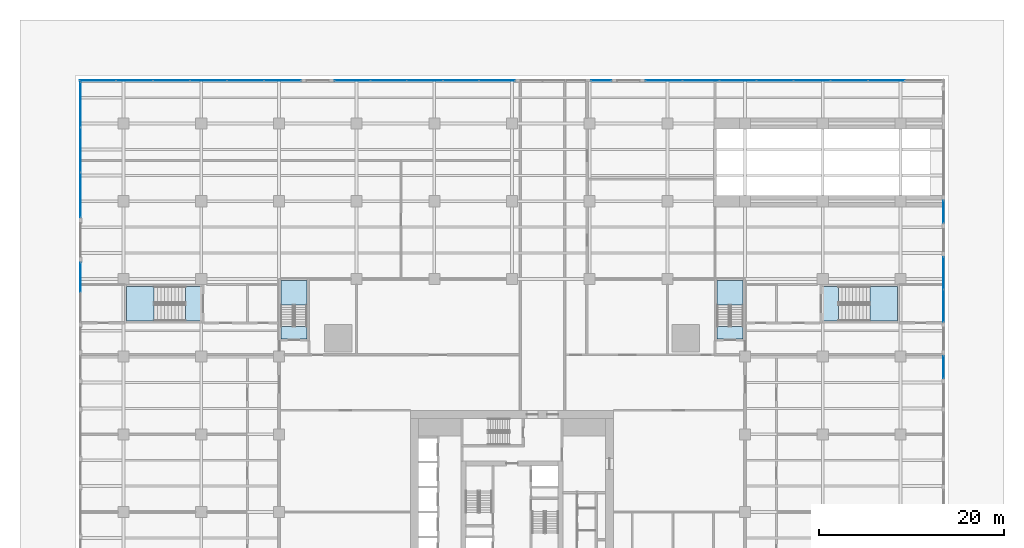
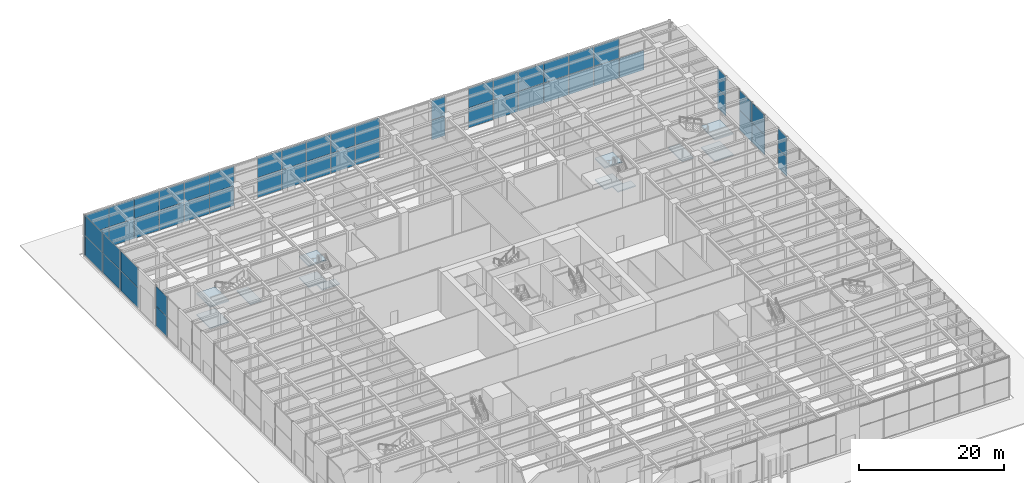
# One storey, part 26 of 43: 53 plates, 12 slabs, 13 elements without a shape of their own.
"""IFC4 building model written with IfcOpenShell, lengths in metres."""

from ifc_helpers import new_model, si_unit, direction, frame, origin, origin_2d, place, context, subcontext, project, spatial, polyline, rectangle, outline, extrude, material, layer, layer_set, type_object, element, aggregate, save


model = new_model("IFC4")

# Units and contexts
model_context = context("Model", 3, precision=1e-05, world=origin(), true_north=direction((0.0, 1.0)))
body_context = subcontext(model_context, "Body", "Model", "MODEL_VIEW")
ifc_project = project(units=[si_unit("LENGTHUNIT", "METRE"), si_unit("AREAUNIT", "SQUARE_METRE"), si_unit("VOLUMEUNIT", "CUBIC_METRE"), si_unit("PLANEANGLEUNIT", "RADIAN"), si_unit("MASSUNIT", "GRAM", prefix="KILO")], contexts=[model_context])

# Site, building, storey
site_placement = place(None, origin())
site = spatial("IfcSite", under=ifc_project, at=site_placement, CompositionType="ELEMENT")
building_placement = place(site_placement, origin())
building = spatial("IfcBuilding", under=site, at=building_placement, Name="Khepri Terraces", CompositionType="ELEMENT")
storey_placement = place(building_placement, origin())
storey = spatial("IfcBuildingStorey", under=building, at=storey_placement, Name="L00", CompositionType="ELEMENT", Elevation=0.0)

# Curtain wall, plates
ifc_material_1 = material(Name="Anodised aluminium bronze curtain wall", Category="aluminium")
curtain_wall_type = type_object("IfcCurtainWallType", Name="CW-SYS1-LOBBY", PredefinedType="NOTDEFINED", material=ifc_material_1)
curtain_wall_1_placement = place(storey_placement, origin())
curtain_wall_1 = element("IfcCurtainWall", 1, at=curtain_wall_1_placement, inside=storey, type_object=curtain_wall_type, Name="Curtain wall CW1 L00 E", PredefinedType="NOTDEFINED")
ifc_material_2 = material(Name="Clear glass", Category="glass")
ifc_layer_1 = layer(ifc_material_2, 0.028076171875, Name="Clear glass", Category="glass")
ifc_layer_set_1 = layer_set([ifc_layer_1], Name="Clear glass")
plate_type = type_object("IfcPlateType", Name="CW-PANEL-VISION-28", PredefinedType="CURTAIN_PANEL", material=ifc_layer_set_1)
plate_1_placement = place(storey_placement, frame((46.64990234375, 15.66259765625, 0.06005859375), z_axis=(0.0, 0.0, 1.0), x_axis=(0.0, 1.0, 0.0)))
plate_1 = element("IfcPlate", 2, at=plate_1_placement, type_object=plate_type, Name="CW1 panel 1.1", PredefinedType="CURTAIN_PANEL", context=body_context, shape_type="SweptSolid", body=[
    extrude(rectangle(XDim=2.405029296875, YDim=0.028076171875, at=origin_2d()), origin(), (0.0, 0.0, 1.0), 3.300048828125),
])
plate_2_placement = place(storey_placement, frame((46.64990234375, 15.66259765625, 3.419921875), z_axis=(0.0, 0.0, 1.0), x_axis=(0.0, 1.0, 0.0)))
plate_2 = element("IfcPlate", 3, at=plate_2_placement, type_object=plate_type, Name="CW1 panel 1.2", PredefinedType="CURTAIN_PANEL", context=body_context, shape_type="SweptSolid", body=[
    extrude(rectangle(XDim=2.405029296875, YDim=0.028076171875, at=origin_2d()), origin(), (0.0, 0.0, 1.0), 3.300048828125),
])
aggregate(curtain_wall_1, [plate_1, plate_2])

curtain_wall_2_placement = place(storey_placement, origin())
curtain_wall_2 = element("IfcCurtainWall", 4, at=curtain_wall_2_placement, inside=storey, type_object=curtain_wall_type, Name="Curtain wall CW1 L00 E", PredefinedType="NOTDEFINED")
plate_3_placement = place(storey_placement, frame((46.64990234375, 22.308837890625, 0.06005859375), z_axis=(0.0, 0.0, 1.0), x_axis=(0.0, 1.0, 0.0)))
plate_3 = element("IfcPlate", 5, at=plate_3_placement, type_object=plate_type, Name="CW1 panel 1.1", PredefinedType="CURTAIN_PANEL", context=body_context, shape_type="SweptSolid", body=[
    extrude(rectangle(XDim=3.447509765625, YDim=0.028076171875, at=origin_2d()), origin(), (0.0, 0.0, 1.0), 3.300048828125),
])
plate_4_placement = place(storey_placement, frame((46.64990234375, 22.308837890625, 3.419921875), z_axis=(0.0, 0.0, 1.0), x_axis=(0.0, 1.0, 0.0)))
plate_4 = element("IfcPlate", 6, at=plate_4_placement, type_object=plate_type, Name="CW1 panel 1.2", PredefinedType="CURTAIN_PANEL", context=body_context, shape_type="SweptSolid", body=[
    extrude(rectangle(XDim=3.447509765625, YDim=0.028076171875, at=origin_2d()), origin(), (0.0, 0.0, 1.0), 3.300048828125),
])
plate_5_placement = place(storey_placement, frame((46.64990234375, 25.816162109375, 0.06005859375), z_axis=(0.0, 0.0, 1.0), x_axis=(0.0, 1.0, 0.0)))
plate_5 = element("IfcPlate", 7, at=plate_5_placement, type_object=plate_type, Name="CW1 panel 2.1", PredefinedType="CURTAIN_PANEL", context=body_context, shape_type="SweptSolid", body=[
    extrude(rectangle(XDim=3.447509765625, YDim=0.028076171875, at=origin_2d()), origin(), (0.0, 0.0, 1.0), 3.300048828125),
])
plate_6_placement = place(storey_placement, frame((46.64990234375, 25.816162109375, 3.419921875), z_axis=(0.0, 0.0, 1.0), x_axis=(0.0, 1.0, 0.0)))
plate_6 = element("IfcPlate", 8, at=plate_6_placement, type_object=plate_type, Name="CW1 panel 2.2", PredefinedType="CURTAIN_PANEL", context=body_context, shape_type="SweptSolid", body=[
    extrude(rectangle(XDim=3.447509765625, YDim=0.028076171875, at=origin_2d()), origin(), (0.0, 0.0, 1.0), 3.300048828125),
])
aggregate(curtain_wall_2, [plate_3, plate_4, plate_5, plate_6])

curtain_wall_3_placement = place(storey_placement, origin())
curtain_wall_3 = element("IfcCurtainWall", 9, at=curtain_wall_3_placement, inside=storey, type_object=curtain_wall_type, Name="Curtain wall CW1 L00 E", PredefinedType="NOTDEFINED")
plate_7_placement = place(storey_placement, frame((46.64990234375, 32.449951171875, 0.06005859375), z_axis=(0.0, 0.0, 1.0), x_axis=(0.0, 1.0, 0.0)))
plate_7 = element("IfcPlate", 10, at=plate_7_placement, type_object=plate_type, Name="CW1 panel 1.1", PredefinedType="CURTAIN_PANEL", context=body_context, shape_type="SweptSolid", body=[
    extrude(rectangle(XDim=2.3798828125, YDim=0.028076171875, at=origin_2d()), origin(), (0.0, 0.0, 1.0), 3.300048828125),
])
plate_8_placement = place(storey_placement, frame((46.64990234375, 32.449951171875, 3.419921875), z_axis=(0.0, 0.0, 1.0), x_axis=(0.0, 1.0, 0.0)))
plate_8 = element("IfcPlate", 11, at=plate_8_placement, type_object=plate_type, Name="CW1 panel 1.2", PredefinedType="CURTAIN_PANEL", context=body_context, shape_type="SweptSolid", body=[
    extrude(rectangle(XDim=2.3798828125, YDim=0.028076171875, at=origin_2d()), origin(), (0.0, 0.0, 1.0), 3.300048828125),
])
aggregate(curtain_wall_3, [plate_7, plate_8])

curtain_wall_4_placement = place(storey_placement, origin())
curtain_wall_4 = element("IfcCurtainWall", 12, at=curtain_wall_4_placement, inside=storey, type_object=curtain_wall_type, Name="Curtain wall CW1 L00 N", PredefinedType="NOTDEFINED")
plate_9_placement = place(storey_placement, frame((40.481201171875, 46.64990234375, 0.06005859375), z_axis=(0.0, 0.0, 1.0), x_axis=(-1.0, 0.0, 0.0)))
plate_9 = element("IfcPlate", 13, at=plate_9_placement, type_object=plate_type, Name="CW1 panel 2.1", PredefinedType="CURTAIN_PANEL", context=body_context, shape_type="SweptSolid", body=[
    extrude(rectangle(XDim=3.952392578125, YDim=0.028076171875, at=origin_2d()), origin(), (0.0, 0.0, 1.0), 3.300048828125),
])
plate_10_placement = place(storey_placement, frame((36.46875, 46.64990234375, 0.06005859375), z_axis=(0.0, 0.0, 1.0), x_axis=(-1.0, 0.0, 0.0)))
plate_10 = element("IfcPlate", 14, at=plate_10_placement, type_object=plate_type, Name="CW1 panel 3.1", PredefinedType="CURTAIN_PANEL", context=body_context, shape_type="SweptSolid", body=[
    extrude(rectangle(XDim=3.952392578125, YDim=0.028076171875, at=origin_2d()), origin(), (0.0, 0.0, 1.0), 3.300048828125),
])
plate_11_placement = place(storey_placement, frame((36.46875, 46.64990234375, 3.419921875), z_axis=(0.0, 0.0, 1.0), x_axis=(-1.0, 0.0, 0.0)))
plate_11 = element("IfcPlate", 15, at=plate_11_placement, type_object=plate_type, Name="CW1 panel 3.2", PredefinedType="CURTAIN_PANEL", context=body_context, shape_type="SweptSolid", body=[
    extrude(rectangle(XDim=3.952392578125, YDim=0.028076171875, at=origin_2d()), origin(), (0.0, 0.0, 1.0), 3.300048828125),
])
plate_12_placement = place(storey_placement, frame((32.456298828125, 46.64990234375, 0.06005859375), z_axis=(0.0, 0.0, 1.0), x_axis=(-1.0, 0.0, 0.0)))
plate_12 = element("IfcPlate", 16, at=plate_12_placement, type_object=plate_type, Name="CW1 panel 4.1", PredefinedType="CURTAIN_PANEL", context=body_context, shape_type="SweptSolid", body=[
    extrude(rectangle(XDim=3.952392578125, YDim=0.028076171875, at=origin_2d()), origin(), (0.0, 0.0, 1.0), 3.300048828125),
])
plate_13_placement = place(storey_placement, frame((32.456298828125, 46.64990234375, 3.419921875), z_axis=(0.0, 0.0, 1.0), x_axis=(-1.0, 0.0, 0.0)))
plate_13 = element("IfcPlate", 17, at=plate_13_placement, type_object=plate_type, Name="CW1 panel 4.2", PredefinedType="CURTAIN_PANEL", context=body_context, shape_type="SweptSolid", body=[
    extrude(rectangle(XDim=3.952392578125, YDim=0.028076171875, at=origin_2d()), origin(), (0.0, 0.0, 1.0), 3.300048828125),
])
plate_14_placement = place(storey_placement, frame((28.44384765625, 46.64990234375, 0.06005859375), z_axis=(0.0, 0.0, 1.0), x_axis=(-1.0, 0.0, 0.0)))
plate_14 = element("IfcPlate", 18, at=plate_14_placement, type_object=plate_type, Name="CW1 panel 5.1", PredefinedType="CURTAIN_PANEL", context=body_context, shape_type="SweptSolid", body=[
    extrude(rectangle(XDim=3.952392578125, YDim=0.028076171875, at=origin_2d()), origin(), (0.0, 0.0, 1.0), 3.300048828125),
])
plate_15_placement = place(storey_placement, frame((28.44384765625, 46.64990234375, 3.419921875), z_axis=(0.0, 0.0, 1.0), x_axis=(-1.0, 0.0, 0.0)))
plate_15 = element("IfcPlate", 19, at=plate_15_placement, type_object=plate_type, Name="CW1 panel 5.2", PredefinedType="CURTAIN_PANEL", context=body_context, shape_type="SweptSolid", body=[
    extrude(rectangle(XDim=3.952392578125, YDim=0.028076171875, at=origin_2d()), origin(), (0.0, 0.0, 1.0), 3.300048828125),
])
plate_16_placement = place(storey_placement, frame((24.43115234375, 46.64990234375, 0.06005859375), z_axis=(0.0, 0.0, 1.0), x_axis=(-1.0, 0.0, 0.0)))
plate_16 = element("IfcPlate", 20, at=plate_16_placement, type_object=plate_type, Name="CW1 panel 6.1", PredefinedType="CURTAIN_PANEL", context=body_context, shape_type="SweptSolid", body=[
    extrude(rectangle(XDim=3.952392578125, YDim=0.028076171875, at=origin_2d()), origin(), (0.0, 0.0, 1.0), 3.300048828125),
])
plate_17_placement = place(storey_placement, frame((24.43115234375, 46.64990234375, 3.419921875), z_axis=(0.0, 0.0, 1.0), x_axis=(-1.0, 0.0, 0.0)))
plate_17 = element("IfcPlate", 21, at=plate_17_placement, type_object=plate_type, Name="CW1 panel 6.2", PredefinedType="CURTAIN_PANEL", context=body_context, shape_type="SweptSolid", body=[
    extrude(rectangle(XDim=3.952392578125, YDim=0.028076171875, at=origin_2d()), origin(), (0.0, 0.0, 1.0), 3.300048828125),
])
plate_18_placement = place(storey_placement, frame((20.418701171875, 46.64990234375, 0.06005859375), z_axis=(0.0, 0.0, 1.0), x_axis=(-1.0, 0.0, 0.0)))
plate_18 = element("IfcPlate", 22, at=plate_18_placement, type_object=plate_type, Name="CW1 panel 7.1", PredefinedType="CURTAIN_PANEL", context=body_context, shape_type="SweptSolid", body=[
    extrude(rectangle(XDim=3.952392578125, YDim=0.028076171875, at=origin_2d()), origin(), (0.0, 0.0, 1.0), 3.300048828125),
])
plate_19_placement = place(storey_placement, frame((20.418701171875, 46.64990234375, 3.419921875), z_axis=(0.0, 0.0, 1.0), x_axis=(-1.0, 0.0, 0.0)))
plate_19 = element("IfcPlate", 23, at=plate_19_placement, type_object=plate_type, Name="CW1 panel 7.2", PredefinedType="CURTAIN_PANEL", context=body_context, shape_type="SweptSolid", body=[
    extrude(rectangle(XDim=3.952392578125, YDim=0.028076171875, at=origin_2d()), origin(), (0.0, 0.0, 1.0), 3.300048828125),
])
plate_20_placement = place(storey_placement, frame((16.421142578125, 46.64990234375, 0.06005859375), z_axis=(0.0, 0.0, 1.0), x_axis=(-1.0, 0.0, 0.0)))
plate_20 = element("IfcPlate", 24, at=plate_20_placement, type_object=plate_type, Name="CW1 panel 8.1", PredefinedType="CURTAIN_PANEL", context=body_context, shape_type="SweptSolid", body=[
    extrude(rectangle(XDim=3.922607421875, YDim=0.028076171875, at=origin_2d()), origin(), (0.0, 0.0, 1.0), 3.300048828125),
])
plate_21_placement = place(storey_placement, frame((16.421142578125, 46.64990234375, 3.419921875), z_axis=(0.0, 0.0, 1.0), x_axis=(-1.0, 0.0, 0.0)))
plate_21 = element("IfcPlate", 25, at=plate_21_placement, type_object=plate_type, Name="CW1 panel 8.2", PredefinedType="CURTAIN_PANEL", context=body_context, shape_type="SweptSolid", body=[
    extrude(rectangle(XDim=3.922607421875, YDim=0.028076171875, at=origin_2d()), origin(), (0.0, 0.0, 1.0), 3.300048828125),
])
aggregate(curtain_wall_4, [plate_9, plate_10, plate_11, plate_12, plate_13, plate_14, plate_15, plate_16, plate_17, plate_18, plate_19, plate_20, plate_21])

curtain_wall_5_placement = place(storey_placement, origin())
curtain_wall_5 = element("IfcCurtainWall", 26, at=curtain_wall_5_placement, inside=storey, type_object=curtain_wall_type, Name="Curtain wall CW1 L00 N", PredefinedType="NOTDEFINED")
plate_22_placement = place(storey_placement, frame((9.64990234375, 46.64990234375, 0.06005859375), z_axis=(0.0, 0.0, 1.0), x_axis=(-1.0, 0.0, 0.0)))
plate_22 = element("IfcPlate", 27, at=plate_22_placement, type_object=plate_type, Name="CW1 panel 1.1", PredefinedType="CURTAIN_PANEL", context=body_context, shape_type="SweptSolid", body=[
    extrude(rectangle(XDim=2.179931640625, YDim=0.028076171875, at=origin_2d()), origin(), (0.0, 0.0, 1.0), 3.300048828125),
])
plate_23_placement = place(storey_placement, frame((9.64990234375, 46.64990234375, 3.419921875), z_axis=(0.0, 0.0, 1.0), x_axis=(-1.0, 0.0, 0.0)))
plate_23 = element("IfcPlate", 28, at=plate_23_placement, type_object=plate_type, Name="CW1 panel 1.2", PredefinedType="CURTAIN_PANEL", context=body_context, shape_type="SweptSolid", body=[
    extrude(rectangle(XDim=2.179931640625, YDim=0.028076171875, at=origin_2d()), origin(), (0.0, 0.0, 1.0), 3.300048828125),
])
aggregate(curtain_wall_5, [plate_22, plate_23])

curtain_wall_6_placement = place(storey_placement, origin())
curtain_wall_6 = element("IfcCurtainWall", 29, at=curtain_wall_6_placement, inside=storey, type_object=curtain_wall_type, Name="Curtain wall CW1 L00 N", PredefinedType="NOTDEFINED")
plate_24_placement = place(storey_placement, frame((-1.6201171875, 46.64990234375, 0.06005859375), z_axis=(0.0, 0.0, 1.0), x_axis=(-1.0, 0.0, 0.0)))
plate_24 = element("IfcPlate", 30, at=plate_24_placement, type_object=plate_type, Name="CW1 panel 1.1", PredefinedType="CURTAIN_PANEL", context=body_context, shape_type="SweptSolid", body=[
    extrude(rectangle(XDim=3.820068359375, YDim=0.028076171875, at=origin_2d()), origin(), (0.0, 0.0, 1.0), 3.300048828125),
])
plate_25_placement = place(storey_placement, frame((-1.6201171875, 46.64990234375, 3.419921875), z_axis=(0.0, 0.0, 1.0), x_axis=(-1.0, 0.0, 0.0)))
plate_25 = element("IfcPlate", 31, at=plate_25_placement, type_object=plate_type, Name="CW1 panel 1.2", PredefinedType="CURTAIN_PANEL", context=body_context, shape_type="SweptSolid", body=[
    extrude(rectangle(XDim=3.820068359375, YDim=0.028076171875, at=origin_2d()), origin(), (0.0, 0.0, 1.0), 3.300048828125),
])
plate_26_placement = place(storey_placement, frame((-5.514892578125, 46.64990234375, 0.06005859375), z_axis=(0.0, 0.0, 1.0), x_axis=(-1.0, 0.0, 0.0)))
plate_26 = element("IfcPlate", 32, at=plate_26_placement, type_object=plate_type, Name="CW1 panel 2.1", PredefinedType="CURTAIN_PANEL", context=body_context, shape_type="SweptSolid", body=[
    extrude(rectangle(XDim=3.85009765625, YDim=0.028076171875, at=origin_2d()), origin(), (0.0, 0.0, 1.0), 3.300048828125),
])
plate_27_placement = place(storey_placement, frame((-5.514892578125, 46.64990234375, 3.419921875), z_axis=(0.0, 0.0, 1.0), x_axis=(-1.0, 0.0, 0.0)))
plate_27 = element("IfcPlate", 33, at=plate_27_placement, type_object=plate_type, Name="CW1 panel 2.2", PredefinedType="CURTAIN_PANEL", context=body_context, shape_type="SweptSolid", body=[
    extrude(rectangle(XDim=3.85009765625, YDim=0.028076171875, at=origin_2d()), origin(), (0.0, 0.0, 1.0), 3.300048828125),
])
plate_28_placement = place(storey_placement, frame((-9.425048828125, 46.64990234375, 0.06005859375), z_axis=(0.0, 0.0, 1.0), x_axis=(-1.0, 0.0, 0.0)))
plate_28 = element("IfcPlate", 34, at=plate_28_placement, type_object=plate_type, Name="CW1 panel 3.1", PredefinedType="CURTAIN_PANEL", context=body_context, shape_type="SweptSolid", body=[
    extrude(rectangle(XDim=3.85009765625, YDim=0.028076171875, at=origin_2d()), origin(), (0.0, 0.0, 1.0), 3.300048828125),
])
plate_29_placement = place(storey_placement, frame((-9.425048828125, 46.64990234375, 3.419921875), z_axis=(0.0, 0.0, 1.0), x_axis=(-1.0, 0.0, 0.0)))
plate_29 = element("IfcPlate", 35, at=plate_29_placement, type_object=plate_type, Name="CW1 panel 3.2", PredefinedType="CURTAIN_PANEL", context=body_context, shape_type="SweptSolid", body=[
    extrude(rectangle(XDim=3.85009765625, YDim=0.028076171875, at=origin_2d()), origin(), (0.0, 0.0, 1.0), 3.300048828125),
])
plate_30_placement = place(storey_placement, frame((-13.3349609375, 46.64990234375, 0.06005859375), z_axis=(0.0, 0.0, 1.0), x_axis=(-1.0, 0.0, 0.0)))
plate_30 = element("IfcPlate", 36, at=plate_30_placement, type_object=plate_type, Name="CW1 panel 4.1", PredefinedType="CURTAIN_PANEL", context=body_context, shape_type="SweptSolid", body=[
    extrude(rectangle(XDim=3.85009765625, YDim=0.028076171875, at=origin_2d()), origin(), (0.0, 0.0, 1.0), 3.300048828125),
])
plate_31_placement = place(storey_placement, frame((-13.3349609375, 46.64990234375, 3.419921875), z_axis=(0.0, 0.0, 1.0), x_axis=(-1.0, 0.0, 0.0)))
plate_31 = element("IfcPlate", 37, at=plate_31_placement, type_object=plate_type, Name="CW1 panel 4.2", PredefinedType="CURTAIN_PANEL", context=body_context, shape_type="SweptSolid", body=[
    extrude(rectangle(XDim=3.85009765625, YDim=0.028076171875, at=origin_2d()), origin(), (0.0, 0.0, 1.0), 3.300048828125),
])
plate_32_placement = place(storey_placement, frame((-17.22998046875, 46.64990234375, 0.06005859375), z_axis=(0.0, 0.0, 1.0), x_axis=(-1.0, 0.0, 0.0)))
plate_32 = element("IfcPlate", 38, at=plate_32_placement, type_object=plate_type, Name="CW1 panel 5.1", PredefinedType="CURTAIN_PANEL", context=body_context, shape_type="SweptSolid", body=[
    extrude(rectangle(XDim=3.820068359375, YDim=0.028076171875, at=origin_2d()), origin(), (0.0, 0.0, 1.0), 3.300048828125),
])
plate_33_placement = place(storey_placement, frame((-17.22998046875, 46.64990234375, 3.419921875), z_axis=(0.0, 0.0, 1.0), x_axis=(-1.0, 0.0, 0.0)))
plate_33 = element("IfcPlate", 39, at=plate_33_placement, type_object=plate_type, Name="CW1 panel 5.2", PredefinedType="CURTAIN_PANEL", context=body_context, shape_type="SweptSolid", body=[
    extrude(rectangle(XDim=3.820068359375, YDim=0.028076171875, at=origin_2d()), origin(), (0.0, 0.0, 1.0), 3.300048828125),
])
aggregate(curtain_wall_6, [plate_24, plate_25, plate_26, plate_27, plate_28, plate_29, plate_30, plate_31, plate_32, plate_33])

curtain_wall_7_placement = place(storey_placement, origin())
curtain_wall_7 = element("IfcCurtainWall", 40, at=curtain_wall_7_placement, inside=storey, type_object=curtain_wall_type, Name="Curtain wall CW1 L00 N", PredefinedType="NOTDEFINED")
plate_34_placement = place(storey_placement, frame((-24.81494140625, 46.64990234375, 0.06005859375), z_axis=(0.0, 0.0, 1.0), x_axis=(-1.0, 0.0, 0.0)))
plate_34 = element("IfcPlate", 41, at=plate_34_placement, type_object=plate_type, Name="CW1 panel 1.1", PredefinedType="CURTAIN_PANEL", context=body_context, shape_type="SweptSolid", body=[
    extrude(rectangle(XDim=3.909912109375, YDim=0.028076171875, at=origin_2d()), origin(), (0.0, 0.0, 1.0), 3.300048828125),
])
plate_35_placement = place(storey_placement, frame((-24.81494140625, 46.64990234375, 3.419921875), z_axis=(0.0, 0.0, 1.0), x_axis=(-1.0, 0.0, 0.0)))
plate_35 = element("IfcPlate", 42, at=plate_35_placement, type_object=plate_type, Name="CW1 panel 1.2", PredefinedType="CURTAIN_PANEL", context=body_context, shape_type="SweptSolid", body=[
    extrude(rectangle(XDim=3.909912109375, YDim=0.028076171875, at=origin_2d()), origin(), (0.0, 0.0, 1.0), 3.300048828125),
])
plate_36_placement = place(storey_placement, frame((-28.800048828125, 46.64990234375, 0.06005859375), z_axis=(0.0, 0.0, 1.0), x_axis=(-1.0, 0.0, 0.0)))
plate_36 = element("IfcPlate", 43, at=plate_36_placement, type_object=plate_type, Name="CW1 panel 2.1", PredefinedType="CURTAIN_PANEL", context=body_context, shape_type="SweptSolid", body=[
    extrude(rectangle(XDim=3.93994140625, YDim=0.028076171875, at=origin_2d()), origin(), (0.0, 0.0, 1.0), 3.300048828125),
])
plate_37_placement = place(storey_placement, frame((-28.800048828125, 46.64990234375, 3.419921875), z_axis=(0.0, 0.0, 1.0), x_axis=(-1.0, 0.0, 0.0)))
plate_37 = element("IfcPlate", 44, at=plate_37_placement, type_object=plate_type, Name="CW1 panel 2.2", PredefinedType="CURTAIN_PANEL", context=body_context, shape_type="SweptSolid", body=[
    extrude(rectangle(XDim=3.93994140625, YDim=0.028076171875, at=origin_2d()), origin(), (0.0, 0.0, 1.0), 3.300048828125),
])
plate_38_placement = place(storey_placement, frame((-32.800048828125, 46.64990234375, 0.06005859375), z_axis=(0.0, 0.0, 1.0), x_axis=(-1.0, 0.0, 0.0)))
plate_38 = element("IfcPlate", 45, at=plate_38_placement, type_object=plate_type, Name="CW1 panel 3.1", PredefinedType="CURTAIN_PANEL", context=body_context, shape_type="SweptSolid", body=[
    extrude(rectangle(XDim=3.93994140625, YDim=0.028076171875, at=origin_2d()), origin(), (0.0, 0.0, 1.0), 3.300048828125),
])
plate_39_placement = place(storey_placement, frame((-32.800048828125, 46.64990234375, 3.419921875), z_axis=(0.0, 0.0, 1.0), x_axis=(-1.0, 0.0, 0.0)))
plate_39 = element("IfcPlate", 46, at=plate_39_placement, type_object=plate_type, Name="CW1 panel 3.2", PredefinedType="CURTAIN_PANEL", context=body_context, shape_type="SweptSolid", body=[
    extrude(rectangle(XDim=3.93994140625, YDim=0.028076171875, at=origin_2d()), origin(), (0.0, 0.0, 1.0), 3.300048828125),
])
plate_40_placement = place(storey_placement, frame((-36.800048828125, 46.64990234375, 0.06005859375), z_axis=(0.0, 0.0, 1.0), x_axis=(-1.0, 0.0, 0.0)))
plate_40 = element("IfcPlate", 47, at=plate_40_placement, type_object=plate_type, Name="CW1 panel 4.1", PredefinedType="CURTAIN_PANEL", context=body_context, shape_type="SweptSolid", body=[
    extrude(rectangle(XDim=3.93994140625, YDim=0.028076171875, at=origin_2d()), origin(), (0.0, 0.0, 1.0), 3.300048828125),
])
plate_41_placement = place(storey_placement, frame((-36.800048828125, 46.64990234375, 3.419921875), z_axis=(0.0, 0.0, 1.0), x_axis=(-1.0, 0.0, 0.0)))
plate_41 = element("IfcPlate", 48, at=plate_41_placement, type_object=plate_type, Name="CW1 panel 4.2", PredefinedType="CURTAIN_PANEL", context=body_context, shape_type="SweptSolid", body=[
    extrude(rectangle(XDim=3.93994140625, YDim=0.028076171875, at=origin_2d()), origin(), (0.0, 0.0, 1.0), 3.300048828125),
])
plate_42_placement = place(storey_placement, frame((-40.800048828125, 46.64990234375, 0.06005859375), z_axis=(0.0, 0.0, 1.0), x_axis=(-1.0, 0.0, 0.0)))
plate_42 = element("IfcPlate", 49, at=plate_42_placement, type_object=plate_type, Name="CW1 panel 5.1", PredefinedType="CURTAIN_PANEL", context=body_context, shape_type="SweptSolid", body=[
    extrude(rectangle(XDim=3.93994140625, YDim=0.028076171875, at=origin_2d()), origin(), (0.0, 0.0, 1.0), 3.300048828125),
])
plate_43_placement = place(storey_placement, frame((-40.800048828125, 46.64990234375, 3.419921875), z_axis=(0.0, 0.0, 1.0), x_axis=(-1.0, 0.0, 0.0)))
plate_43 = element("IfcPlate", 50, at=plate_43_placement, type_object=plate_type, Name="CW1 panel 5.2", PredefinedType="CURTAIN_PANEL", context=body_context, shape_type="SweptSolid", body=[
    extrude(rectangle(XDim=3.93994140625, YDim=0.028076171875, at=origin_2d()), origin(), (0.0, 0.0, 1.0), 3.300048828125),
])
plate_44_placement = place(storey_placement, frame((-44.784912109375, 46.64990234375, 0.06005859375), z_axis=(0.0, 0.0, 1.0), x_axis=(-1.0, 0.0, 0.0)))
plate_44 = element("IfcPlate", 51, at=plate_44_placement, type_object=plate_type, Name="CW1 panel 6.1", PredefinedType="CURTAIN_PANEL", context=body_context, shape_type="SweptSolid", body=[
    extrude(rectangle(XDim=3.909912109375, YDim=0.028076171875, at=origin_2d()), origin(), (0.0, 0.0, 1.0), 3.300048828125),
])
plate_45_placement = place(storey_placement, frame((-44.784912109375, 46.64990234375, 3.419921875), z_axis=(0.0, 0.0, 1.0), x_axis=(-1.0, 0.0, 0.0)))
plate_45 = element("IfcPlate", 52, at=plate_45_placement, type_object=plate_type, Name="CW1 panel 6.2", PredefinedType="CURTAIN_PANEL", context=body_context, shape_type="SweptSolid", body=[
    extrude(rectangle(XDim=3.909912109375, YDim=0.028076171875, at=origin_2d()), origin(), (0.0, 0.0, 1.0), 3.300048828125),
])
aggregate(curtain_wall_7, [plate_34, plate_35, plate_36, plate_37, plate_38, plate_39, plate_40, plate_41, plate_42, plate_43, plate_44, plate_45])

curtain_wall_8_placement = place(storey_placement, origin())
curtain_wall_8 = element("IfcCurtainWall", 53, at=curtain_wall_8_placement, inside=storey, type_object=curtain_wall_type, Name="Curtain wall CW1 L00 W", PredefinedType="NOTDEFINED")
plate_46_placement = place(storey_placement, frame((-46.64990234375, 44.034912109375, 0.06005859375), z_axis=(0.0, 0.0, 1.0), x_axis=(0.0, -1.0, 0.0)))
plate_46 = element("IfcPlate", 54, at=plate_46_placement, type_object=plate_type, Name="CW1 panel 1.1", PredefinedType="CURTAIN_PANEL", context=body_context, shape_type="SweptSolid", body=[
    extrude(rectangle(XDim=4.81005859375, YDim=0.028076171875, at=origin_2d()), origin(), (0.0, 0.0, 1.0), 3.300048828125),
])
plate_47_placement = place(storey_placement, frame((-46.64990234375, 44.034912109375, 3.419921875), z_axis=(0.0, 0.0, 1.0), x_axis=(0.0, -1.0, 0.0)))
plate_47 = element("IfcPlate", 55, at=plate_47_placement, type_object=plate_type, Name="CW1 panel 1.2", PredefinedType="CURTAIN_PANEL", context=body_context, shape_type="SweptSolid", body=[
    extrude(rectangle(XDim=4.81005859375, YDim=0.028076171875, at=origin_2d()), origin(), (0.0, 0.0, 1.0), 3.300048828125),
])
plate_48_placement = place(storey_placement, frame((-46.64990234375, 39.14990234375, 0.06005859375), z_axis=(0.0, 0.0, 1.0), x_axis=(0.0, -1.0, 0.0)))
plate_48 = element("IfcPlate", 56, at=plate_48_placement, type_object=plate_type, Name="CW1 panel 2.1", PredefinedType="CURTAIN_PANEL", context=body_context, shape_type="SweptSolid", body=[
    extrude(rectangle(XDim=4.840087890625, YDim=0.028076171875, at=origin_2d()), origin(), (0.0, 0.0, 1.0), 3.300048828125),
])
plate_49_placement = place(storey_placement, frame((-46.64990234375, 39.14990234375, 3.419921875), z_axis=(0.0, 0.0, 1.0), x_axis=(0.0, -1.0, 0.0)))
plate_49 = element("IfcPlate", 57, at=plate_49_placement, type_object=plate_type, Name="CW1 panel 2.2", PredefinedType="CURTAIN_PANEL", context=body_context, shape_type="SweptSolid", body=[
    extrude(rectangle(XDim=4.840087890625, YDim=0.028076171875, at=origin_2d()), origin(), (0.0, 0.0, 1.0), 3.300048828125),
])
plate_50_placement = place(storey_placement, frame((-46.64990234375, 34.264892578125, 0.06005859375), z_axis=(0.0, 0.0, 1.0), x_axis=(0.0, -1.0, 0.0)))
plate_50 = element("IfcPlate", 58, at=plate_50_placement, type_object=plate_type, Name="CW1 panel 3.1", PredefinedType="CURTAIN_PANEL", context=body_context, shape_type="SweptSolid", body=[
    extrude(rectangle(XDim=4.81005859375, YDim=0.028076171875, at=origin_2d()), origin(), (0.0, 0.0, 1.0), 3.300048828125),
])
plate_51_placement = place(storey_placement, frame((-46.64990234375, 34.264892578125, 3.419921875), z_axis=(0.0, 0.0, 1.0), x_axis=(0.0, -1.0, 0.0)))
plate_51 = element("IfcPlate", 59, at=plate_51_placement, type_object=plate_type, Name="CW1 panel 3.2", PredefinedType="CURTAIN_PANEL", context=body_context, shape_type="SweptSolid", body=[
    extrude(rectangle(XDim=4.81005859375, YDim=0.028076171875, at=origin_2d()), origin(), (0.0, 0.0, 1.0), 3.300048828125),
])
aggregate(curtain_wall_8, [plate_46, plate_47, plate_48, plate_49, plate_50, plate_51])

curtain_wall_9_placement = place(storey_placement, origin())
curtain_wall_9 = element("IfcCurtainWall", 60, at=curtain_wall_9_placement, inside=storey, type_object=curtain_wall_type, Name="Curtain wall CW1 L00 W", PredefinedType="NOTDEFINED")
plate_52_placement = place(storey_placement, frame((-46.64990234375, 25.3662109375, 0.06005859375), z_axis=(0.0, 0.0, 1.0), x_axis=(0.0, -1.0, 0.0)))
plate_52 = element("IfcPlate", 61, at=plate_52_placement, type_object=plate_type, Name="CW1 panel 1.1", PredefinedType="CURTAIN_PANEL", context=body_context, shape_type="SweptSolid", body=[
    extrude(rectangle(XDim=3.1474609375, YDim=0.028076171875, at=origin_2d()), origin(), (0.0, 0.0, 1.0), 3.300048828125),
])
plate_53_placement = place(storey_placement, frame((-46.64990234375, 25.3662109375, 3.419921875), z_axis=(0.0, 0.0, 1.0), x_axis=(0.0, -1.0, 0.0)))
plate_53 = element("IfcPlate", 62, at=plate_53_placement, type_object=plate_type, Name="CW1 panel 1.2", PredefinedType="CURTAIN_PANEL", context=body_context, shape_type="SweptSolid", body=[
    extrude(rectangle(XDim=3.1474609375, YDim=0.028076171875, at=origin_2d()), origin(), (0.0, 0.0, 1.0), 3.300048828125),
])
aggregate(curtain_wall_9, [plate_52, plate_53])

# Stair, slabs
ifc_material_3 = material(Name="Concrete C40/50", Category="concrete")
stair_type = type_object("IfcStairType", Name="ST-POD", PredefinedType="HALF_TURN_STAIR", material=ifc_material_3)
stair_1_placement = place(storey_placement, origin())
stair_1 = element("IfcStair", 63, at=stair_1_placement, inside=storey, type_object=stair_type, Name="L00 Exit Stair PS-1", PredefinedType="HALF_TURN_STAIR")
ifc_layer_2 = layer(ifc_material_3, 0.199951171875, Name="Concrete C40/50", Category="concrete")
ifc_layer_set_2 = layer_set([ifc_layer_2], Name="Concrete C40/50")
slab_type = type_object("IfcSlabType", Name="SL-POD", PredefinedType="LANDING", material=ifc_layer_set_2)
slab_1_placement = place(storey_placement, frame((0.0, 0.0, 1.60009765625)))
slab_1 = element("IfcSlab", 64, at=slab_1_placement, type_object=slab_type, Name="PS-1 landing 1", PredefinedType="LANDING", context=body_context, shape_type="SweptSolid", body=[
    extrude(outline(polyline([(25.0, 22.389892578125), (25.0, 25.0400390625), (22.14990234375, 25.0400390625), (22.14990234375, 22.389892578125), (25.0, 22.389892578125)])), origin(), (0.0, 0.0, 1.0), 0.199951171875),
])
slab_2_placement = place(storey_placement, frame((0.0, 0.0, 3.39990234375)))
slab_2 = element("IfcSlab", 65, at=slab_2_placement, type_object=slab_type, Name="PS-1 landing 2", PredefinedType="LANDING", context=body_context, shape_type="SweptSolid", body=[
    extrude(outline(polyline([(25.0, 18.699951171875), (25.0, 20.050048828125), (22.14990234375, 20.050048828125), (22.14990234375, 18.699951171875), (25.0, 18.699951171875)])), origin(), (0.0, 0.0, 1.0), 0.2001953125),
])
slab_3_placement = place(storey_placement, frame((0.0, 0.0, 5.199951171875)))
slab_3 = element("IfcSlab", 66, at=slab_3_placement, type_object=slab_type, Name="PS-1 landing 3", PredefinedType="LANDING", context=body_context, shape_type="SweptSolid", body=[
    extrude(outline(polyline([(25.0, 22.389892578125), (25.0, 25.0400390625), (22.14990234375, 25.0400390625), (22.14990234375, 22.389892578125), (25.0, 22.389892578125)])), origin(), (0.0, 0.0, 1.0), 0.199951171875),
])
aggregate(stair_1, [slab_1, slab_2, slab_3])

stair_2_placement = place(storey_placement, origin())
stair_2 = element("IfcStair", 67, at=stair_2_placement, inside=storey, type_object=stair_type, Name="L00 Exit Stair PS-2", PredefinedType="HALF_TURN_STAIR")
slab_4_placement = place(storey_placement, frame((0.0, 0.0, 1.60009765625)))
slab_4 = element("IfcSlab", 68, at=slab_4_placement, type_object=slab_type, Name="PS-2 landing 1", PredefinedType="LANDING", context=body_context, shape_type="SweptSolid", body=[
    extrude(outline(polyline([(-22.14990234375, 22.389892578125), (-22.14990234375, 25.0400390625), (-25.0, 25.0400390625), (-25.0, 22.389892578125), (-22.14990234375, 22.389892578125)])), origin(), (0.0, 0.0, 1.0), 0.199951171875),
])
slab_5_placement = place(storey_placement, frame((0.0, 0.0, 3.39990234375)))
slab_5 = element("IfcSlab", 69, at=slab_5_placement, type_object=slab_type, Name="PS-2 landing 2", PredefinedType="LANDING", context=body_context, shape_type="SweptSolid", body=[
    extrude(outline(polyline([(-22.14990234375, 18.699951171875), (-22.14990234375, 20.050048828125), (-25.0, 20.050048828125), (-25.0, 18.699951171875), (-22.14990234375, 18.699951171875)])), origin(), (0.0, 0.0, 1.0), 0.2001953125),
])
slab_6_placement = place(storey_placement, frame((0.0, 0.0, 5.199951171875)))
slab_6 = element("IfcSlab", 70, at=slab_6_placement, type_object=slab_type, Name="PS-2 landing 3", PredefinedType="LANDING", context=body_context, shape_type="SweptSolid", body=[
    extrude(outline(polyline([(-22.14990234375, 22.389892578125), (-22.14990234375, 25.0400390625), (-25.0, 25.0400390625), (-25.0, 22.389892578125), (-22.14990234375, 22.389892578125)])), origin(), (0.0, 0.0, 1.0), 0.199951171875),
])
aggregate(stair_2, [slab_4, slab_5, slab_6])

stair_3_placement = place(storey_placement, origin())
stair_3 = element("IfcStair", 71, at=stair_3_placement, inside=storey, type_object=stair_type, Name="L00 Exit Stair PS-5", PredefinedType="HALF_TURN_STAIR")
slab_7_placement = place(storey_placement, frame((0.0, 0.0, 1.60009765625)))
slab_7 = element("IfcSlab", 72, at=slab_7_placement, type_object=slab_type, Name="PS-5 landing 1", PredefinedType="LANDING", context=body_context, shape_type="SweptSolid", body=[
    extrude(outline(polyline([(-38.719970703125, 24.39990234375), (-41.699951171875, 24.39990234375), (-41.699951171875, 20.64990234375), (-38.719970703125, 20.64990234375), (-38.719970703125, 24.39990234375)])), origin(), (0.0, 0.0, 1.0), 0.199951171875),
])
slab_8_placement = place(storey_placement, frame((0.0, 0.0, 3.39990234375)))
slab_8 = element("IfcSlab", 73, at=slab_8_placement, type_object=slab_type, Name="PS-5 landing 2", PredefinedType="LANDING", context=body_context, shape_type="SweptSolid", body=[
    extrude(outline(polyline([(-33.5, 24.39990234375), (-35.300048828125, 24.39990234375), (-35.300048828125, 20.64990234375), (-33.5, 20.64990234375), (-33.5, 24.39990234375)])), origin(), (0.0, 0.0, 1.0), 0.2001953125),
])
slab_9_placement = place(storey_placement, frame((0.0, 0.0, 5.199951171875)))
slab_9 = element("IfcSlab", 74, at=slab_9_placement, type_object=slab_type, Name="PS-5 landing 3", PredefinedType="LANDING", context=body_context, shape_type="SweptSolid", body=[
    extrude(outline(polyline([(-38.719970703125, 24.39990234375), (-41.699951171875, 24.39990234375), (-41.699951171875, 20.64990234375), (-38.719970703125, 20.64990234375), (-38.719970703125, 24.39990234375)])), origin(), (0.0, 0.0, 1.0), 0.199951171875),
])
aggregate(stair_3, [slab_7, slab_8, slab_9])

stair_4_placement = place(storey_placement, origin())
stair_4 = element("IfcStair", 75, at=stair_4_placement, inside=storey, type_object=stair_type, Name="L00 Exit Stair PS-6", PredefinedType="HALF_TURN_STAIR")
slab_10_placement = place(storey_placement, frame((0.0, 0.0, 1.60009765625)))
slab_10 = element("IfcSlab", 76, at=slab_10_placement, type_object=slab_type, Name="PS-6 landing 1", PredefinedType="LANDING", context=body_context, shape_type="SweptSolid", body=[
    extrude(outline(polyline([(38.719970703125, 20.64990234375), (41.699951171875, 20.64990234375), (41.699951171875, 24.39990234375), (38.719970703125, 24.39990234375), (38.719970703125, 20.64990234375)])), origin(), (0.0, 0.0, 1.0), 0.199951171875),
])
slab_11_placement = place(storey_placement, frame((0.0, 0.0, 3.39990234375)))
slab_11 = element("IfcSlab", 77, at=slab_11_placement, type_object=slab_type, Name="PS-6 landing 2", PredefinedType="LANDING", context=body_context, shape_type="SweptSolid", body=[
    extrude(outline(polyline([(33.5, 20.64990234375), (35.300048828125, 20.64990234375), (35.300048828125, 24.39990234375), (33.5, 24.39990234375), (33.5, 20.64990234375)])), origin(), (0.0, 0.0, 1.0), 0.2001953125),
])
slab_12_placement = place(storey_placement, frame((0.0, 0.0, 5.199951171875)))
slab_12 = element("IfcSlab", 78, at=slab_12_placement, type_object=slab_type, Name="PS-6 landing 3", PredefinedType="LANDING", context=body_context, shape_type="SweptSolid", body=[
    extrude(outline(polyline([(38.719970703125, 20.64990234375), (41.699951171875, 20.64990234375), (41.699951171875, 24.39990234375), (38.719970703125, 24.39990234375), (38.719970703125, 20.64990234375)])), origin(), (0.0, 0.0, 1.0), 0.199951171875),
])
aggregate(stair_4, [slab_10, slab_11, slab_12])

save(model, "model.ifc")
